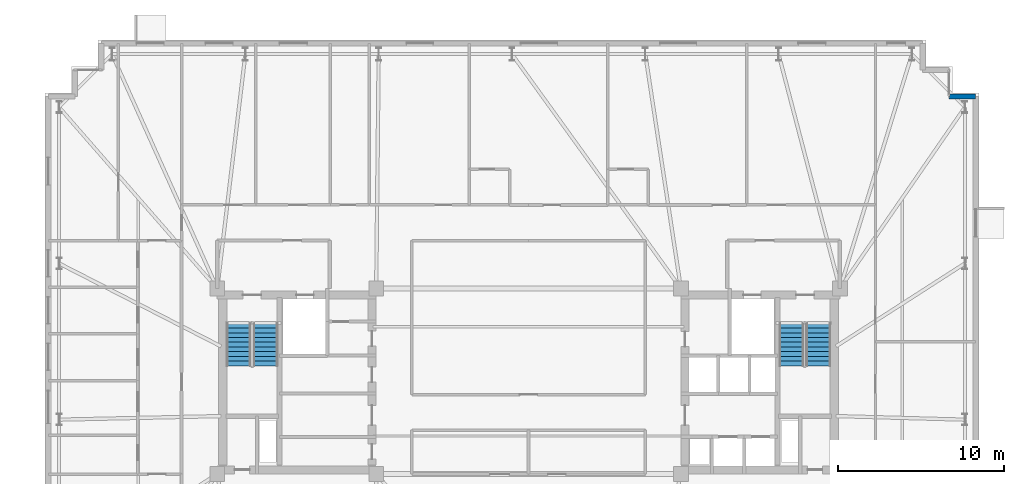
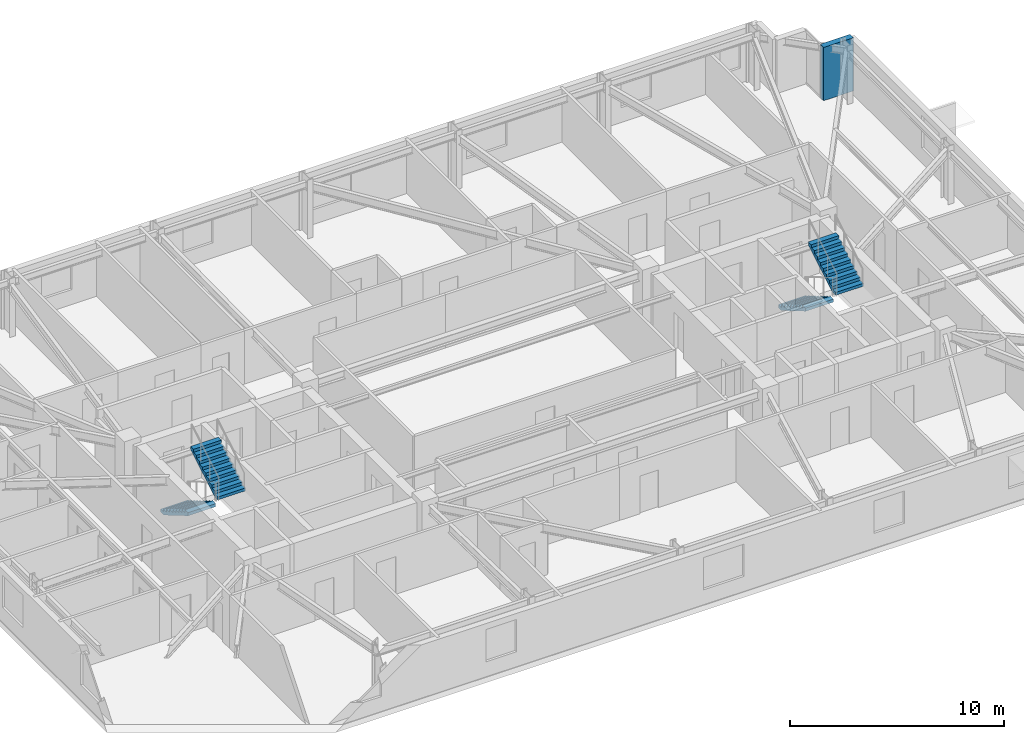
# One storey, part 15 of 17: 4 stair flights, 1 wall, 2 elements without a shape of their own.
"""IFC4 building model written with IfcOpenShell, lengths in metres."""

from ifc_helpers import new_model, si_unit, direction, frame, frame_2d, origin, place, context, subcontext, project, spatial, polyline, rectangle, outline, extrude, material, layer, layer_set, type_object, element, aggregate, save


model = new_model("IFC4")

# Units and contexts
model_context = context("Model", 3, precision=1e-05, world=origin(), true_north=direction((0.0, 1.0)))
body_context = subcontext(model_context, "Body", "Model", "MODEL_VIEW")
ifc_project = project(units=[si_unit("LENGTHUNIT", "METRE"), si_unit("AREAUNIT", "SQUARE_METRE"), si_unit("VOLUMEUNIT", "CUBIC_METRE"), si_unit("PLANEANGLEUNIT", "RADIAN"), si_unit("MASSUNIT", "GRAM", prefix="KILO")], contexts=[model_context])

# Site, building, storey
site_placement = place(None, origin())
site = spatial("IfcSite", under=ifc_project, at=site_placement, CompositionType="ELEMENT")
building_placement = place(site_placement, origin())
building = spatial("IfcBuilding", under=site, at=building_placement, Name="Qobustan Lattice House", CompositionType="ELEMENT")
storey_placement = place(building_placement, frame((0.0, 0.0, 167.85009765625)))
storey = spatial("IfcBuildingStorey", under=building, at=storey_placement, Name="L47", CompositionType="ELEMENT", Elevation=167.85009765625)

# Wall
ifc_material_1 = material(Name="Precast concrete C40/50", Category="concrete")
ifc_layer = layer(ifc_material_1, 0.320068359375)
ifc_layer_set = layer_set([ifc_layer], Name="Precast concrete C40/50")
wall_type = type_object("IfcWallType", Name="WAL-EXT-STONE-320", PredefinedType="SOLIDWALL", material=ifc_layer_set)
wall_placement = place(storey_placement, frame((25.39990234375, 17.199951171875, 0.0), z_axis=(0.0, 0.0, 1.0), x_axis=(1.0, 0.0, 0.0)))
element("IfcWall", 1, at=wall_placement, inside=storey, type_object=wall_type, Name="L47 exterior limestone-clad wall 14", PredefinedType="SOLIDWALL", context=body_context, shape_type="SweptSolid", body=[
    extrude(rectangle(XDim=1.60009765625, YDim=0.320068359375, at=frame_2d((0.800048828125, 0.0))), origin(), (0.0, 0.0, 1.0), 3.039794921875),
])

# Stair, stair flights
ifc_material_2 = material(Name="Concrete C40/50", Category="concrete")
stair_type = type_object("IfcStairType", Name="STR-CORE-DOGLEG", PredefinedType="HALF_TURN_STAIR", material=ifc_material_2)
stair_1_placement = place(storey_placement, origin())
stair_1 = element("IfcStair", 2, at=stair_1_placement, inside=storey, type_object=stair_type, Name="L47 West protected exit stair ST-W1", PredefinedType="HALF_TURN_STAIR")
ifc_material_3 = material(Name="Concrete C40/50", Category="concrete")
stair_flight_type = type_object("IfcStairFlightType", Name="SFL-RC-1500", PredefinedType="STRAIGHT", material=ifc_material_3)
stair_flight_1_placement = place(storey_placement, frame((-17.5, 3.5, 0.0), z_axis=(0.0, 0.0, 1.0), x_axis=(0.0, -1.0, 0.0)))
stair_flight_1 = element("IfcStairFlight", 3, at=stair_flight_1_placement, type_object=stair_flight_type, Name="ST-W1 flight 1", NumberOfRisers=10, NumberOfTreads=9, PredefinedType="STRAIGHT", RiserHeight=0.1675, TreadLength=0.285, context=body_context, shape_type="SweptSolid", body=[
    extrude(outline(polyline([(0.0, 0.0), (0.0, 0.16748046875), (0.284912109375, 0.16748046875), (0.284912109375, 0.3349609375), (0.570068359375, 0.3349609375), (0.570068359375, 0.50244140625), (0.85498046875, 0.50244140625), (0.85498046875, 0.669921875), (1.139892578125, 0.669921875), (1.139892578125, 0.83740234375), (1.425048828125, 0.83740234375), (1.425048828125, 1.0048828125), (1.7099609375, 1.0048828125), (1.7099609375, 1.172607421875), (1.9951171875, 1.172607421875), (1.9951171875, 1.340087890625), (2.280029296875, 1.340087890625), (2.280029296875, 1.507568359375), (2.56494140625, 1.507568359375), (2.56494140625, 1.675048828125), (2.56494140625, 1.333740234375), (0.2958984375, 0.0), (0.0, 0.0)])), frame((0.0, 0.75, 0.0), z_axis=(0.0, -1.0, 0.0), x_axis=(1.0, 0.0, 0.0)), (0.0, 0.0, 1.0), 1.5),
])
stair_flight_2_placement = place(storey_placement, frame((-15.8798828125, 0.93505859375, 1.6748046875), z_axis=(0.0, 0.0, 1.0), x_axis=(0.0, 1.0, 0.0)))
stair_flight_2 = element("IfcStairFlight", 4, at=stair_flight_2_placement, type_object=stair_flight_type, Name="ST-W1 flight 2", NumberOfRisers=10, NumberOfTreads=9, PredefinedType="STRAIGHT", RiserHeight=0.1675, TreadLength=0.285, context=body_context, shape_type="SweptSolid", body=[
    extrude(outline(polyline([(0.0, 0.0), (0.0, 0.16748046875), (0.284912109375, 0.16748046875), (0.284912109375, 0.3349609375), (0.570068359375, 0.3349609375), (0.570068359375, 0.50244140625), (0.85498046875, 0.50244140625), (0.85498046875, 0.669921875), (1.139892578125, 0.669921875), (1.139892578125, 0.83740234375), (1.425048828125, 0.83740234375), (1.425048828125, 1.0048828125), (1.7099609375, 1.0048828125), (1.7099609375, 1.172607421875), (1.9951171875, 1.172607421875), (1.9951171875, 1.340087890625), (2.280029296875, 1.340087890625), (2.280029296875, 1.507568359375), (2.56494140625, 1.507568359375), (2.56494140625, 1.675048828125), (2.56494140625, 1.333740234375), (0.2958984375, 0.0), (0.0, 0.0)])), frame((0.0, 0.75, 0.0), z_axis=(0.0, -1.0, 0.0), x_axis=(1.0, 0.0, 0.0)), (0.0, 0.0, 1.0), 1.5),
])
aggregate(stair_1, [stair_flight_1, stair_flight_2])

stair_2_placement = place(storey_placement, origin())
stair_2 = element("IfcStair", 5, at=stair_2_placement, inside=storey, type_object=stair_type, Name="L47 East protected exit stair ST-E1", PredefinedType="HALF_TURN_STAIR")
stair_flight_3_placement = place(storey_placement, frame((15.8798828125, 3.5, 0.0), z_axis=(0.0, 0.0, 1.0), x_axis=(0.0, -1.0, 0.0)))
stair_flight_3 = element("IfcStairFlight", 6, at=stair_flight_3_placement, type_object=stair_flight_type, Name="ST-E1 flight 1", NumberOfRisers=10, NumberOfTreads=9, PredefinedType="STRAIGHT", RiserHeight=0.1675, TreadLength=0.285, context=body_context, shape_type="SweptSolid", body=[
    extrude(outline(polyline([(0.0, 0.0), (0.0, 0.16748046875), (0.284912109375, 0.16748046875), (0.284912109375, 0.3349609375), (0.570068359375, 0.3349609375), (0.570068359375, 0.50244140625), (0.85498046875, 0.50244140625), (0.85498046875, 0.669921875), (1.139892578125, 0.669921875), (1.139892578125, 0.83740234375), (1.425048828125, 0.83740234375), (1.425048828125, 1.0048828125), (1.7099609375, 1.0048828125), (1.7099609375, 1.172607421875), (1.9951171875, 1.172607421875), (1.9951171875, 1.340087890625), (2.280029296875, 1.340087890625), (2.280029296875, 1.507568359375), (2.56494140625, 1.507568359375), (2.56494140625, 1.675048828125), (2.56494140625, 1.333740234375), (0.2958984375, 0.0), (0.0, 0.0)])), frame((0.0, 0.75, 0.0), z_axis=(0.0, -1.0, 0.0), x_axis=(1.0, 0.0, 0.0)), (0.0, 0.0, 1.0), 1.5),
])
stair_flight_4_placement = place(storey_placement, frame((17.5, 0.93505859375, 1.6748046875), z_axis=(0.0, 0.0, 1.0), x_axis=(0.0, 1.0, 0.0)))
stair_flight_4 = element("IfcStairFlight", 7, at=stair_flight_4_placement, type_object=stair_flight_type, Name="ST-E1 flight 2", NumberOfRisers=10, NumberOfTreads=9, PredefinedType="STRAIGHT", RiserHeight=0.1675, TreadLength=0.285, context=body_context, shape_type="SweptSolid", body=[
    extrude(outline(polyline([(0.0, 0.0), (0.0, 0.16748046875), (0.284912109375, 0.16748046875), (0.284912109375, 0.3349609375), (0.570068359375, 0.3349609375), (0.570068359375, 0.50244140625), (0.85498046875, 0.50244140625), (0.85498046875, 0.669921875), (1.139892578125, 0.669921875), (1.139892578125, 0.83740234375), (1.425048828125, 0.83740234375), (1.425048828125, 1.0048828125), (1.7099609375, 1.0048828125), (1.7099609375, 1.172607421875), (1.9951171875, 1.172607421875), (1.9951171875, 1.340087890625), (2.280029296875, 1.340087890625), (2.280029296875, 1.507568359375), (2.56494140625, 1.507568359375), (2.56494140625, 1.675048828125), (2.56494140625, 1.333740234375), (0.2958984375, 0.0), (0.0, 0.0)])), frame((0.0, 0.75, 0.0), z_axis=(0.0, -1.0, 0.0), x_axis=(1.0, 0.0, 0.0)), (0.0, 0.0, 1.0), 1.5),
])
aggregate(stair_2, [stair_flight_3, stair_flight_4])

save(model, "model.ifc")
